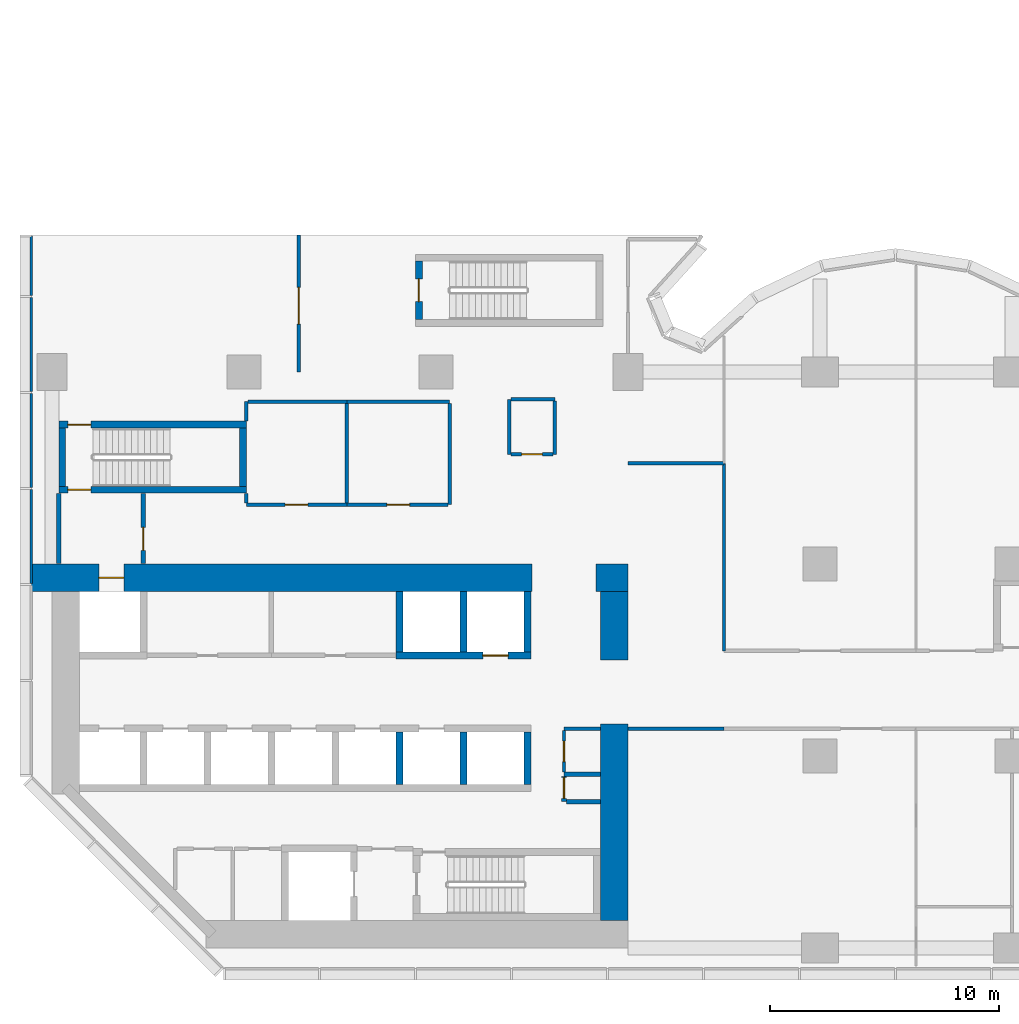
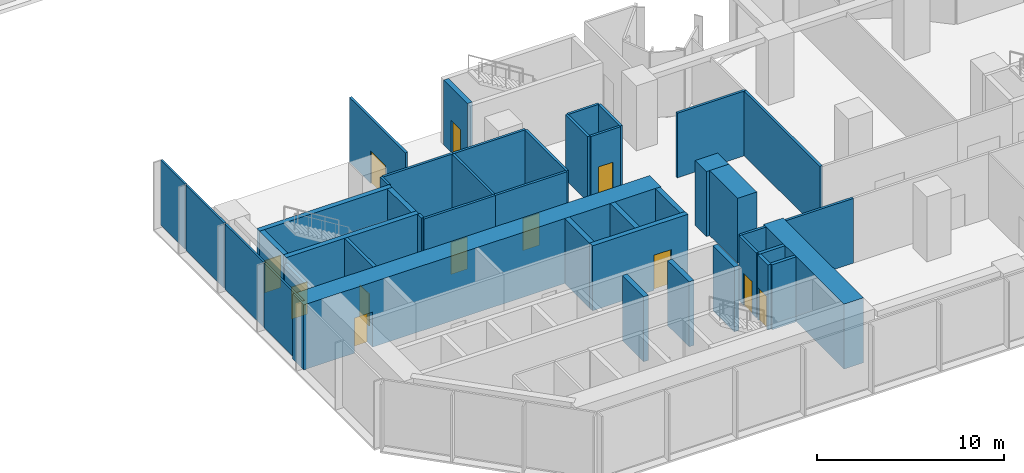
# One storey, part 10 of 18: 43 walls, 12 doors, 12 openings.
"""IFC4 building model written with IfcOpenShell, lengths in metres."""

import ifcopenshell
import ifcopenshell.guid

model = None  # the IFC model being written
_history = None  # IfcOwnerHistory: only IFC2X3 demands one
_inside = {}  # id of a spatial element -> (the spatial element, [elements in it])
_under = {}  # id of a project, library or spatial element -> (it, [spatial elements below it])
_declared = {}  # id of a project -> (the project, [libraries it declares])
_typed = {}  # id of a type object -> (the type object, [elements of that type])
_made_of = {}  # id of a material, layer set ... -> (it, [elements and type objects made of it])


def new_model(schema):
    """Start an empty IFC model of exactly this schema.

    Asked for "IFC4X3", IfcOpenShell would pick the latest addendum, in which some entities
    have other attributes; the version numbers below select the first issue.
    IFC2X3 requires an IfcOwnerHistory on every rooted entity: one is made here for all.
    """
    global model, _history
    if schema == "IFC4X3":
        model = ifcopenshell.file(schema_version=(4, 3, 0, 0))
    else:
        model = ifcopenshell.file(schema=schema)
    _inside.clear()
    _under.clear()
    _declared.clear()
    _typed.clear()
    _made_of.clear()
    _history = None
    if model.schema == "IFC2X3":
        org = make("IfcOrganization", Name="unknown")
        user = make(
            "IfcPersonAndOrganization",
            ThePerson=make("IfcPerson", FamilyName="unknown"),
            TheOrganization=org,
        )
        app = make(
            "IfcApplication",
            ApplicationDeveloper=org,
            Version="unknown",
            ApplicationFullName="unknown",
            ApplicationIdentifier="unknown",
        )
        _history = make(
            "IfcOwnerHistory",
            OwningUser=user,
            OwningApplication=app,
            ChangeAction="ADDED",
            CreationDate=0,
        )
    return model


def make(cls, **values):
    """One entity of the class cls with the attributes given. An attribute that is None is left unset."""
    return model.create_entity(
        cls, **{name: value for name, value in values.items() if value is not None}
    )


def rooted(cls, **values):
    """An entity with a GlobalId (a new one), such as an element, a storey or a relation."""
    return make(cls, GlobalId=ifcopenshell.guid.new(), OwnerHistory=_history, **values)


def si_unit(unit_type, name, prefix=None):
    """IfcSIUnit, for example si_unit("LENGTHUNIT", "METRE", prefix="MILLI")."""
    return make("IfcSIUnit", UnitType=unit_type, Prefix=prefix, Name=name)


def assignment(units):
    """IfcUnitAssignment: the units of a project."""
    return None if units is None else make("IfcUnitAssignment", Units=units)


def point(xyz):
    """IfcCartesianPoint."""
    return None if xyz is None else make("IfcCartesianPoint", Coordinates=xyz)


def direction(xyz):
    """IfcDirection."""
    return None if xyz is None else make("IfcDirection", DirectionRatios=xyz)


def frame(location, z_axis=None, x_axis=None):
    """IfcAxis2Placement3D, a coordinate frame: its origin and axes. An axis left out is left unset."""
    return make(
        "IfcAxis2Placement3D",
        Location=point(location),
        Axis=direction(z_axis),
        RefDirection=direction(x_axis),
    )


def frame_2d(location, x_axis=None):
    """IfcAxis2Placement2D, a coordinate frame in the plane: its origin and x axis."""
    return make(
        "IfcAxis2Placement2D", Location=point(location), RefDirection=direction(x_axis)
    )


def origin():
    """The frame at (0, 0, 0) with its axes left unset."""
    return frame((0.0, 0.0, 0.0))


def place(relative_to, where):
    """IfcLocalPlacement: puts the frame where relative to a parent placement (None: the world)."""
    return make(
        "IfcLocalPlacement", PlacementRelTo=relative_to, RelativePlacement=where
    )


def context(
    kind, dimensions, precision=None, world=None, true_north=None, identifier=None
):
    """IfcGeometricRepresentationContext, for example the 3D "Model" context."""
    return make(
        "IfcGeometricRepresentationContext",
        ContextIdentifier=identifier,
        ContextType=kind,
        CoordinateSpaceDimension=dimensions,
        Precision=precision,
        WorldCoordinateSystem=world,
        TrueNorth=true_north,
    )


def subcontext(parent, identifier, kind, view, scale=None):
    """IfcGeometricRepresentationSubContext, for example "Body" below "Model"."""
    return make(
        "IfcGeometricRepresentationSubContext",
        ContextIdentifier=identifier,
        ContextType=kind,
        ParentContext=parent,
        TargetScale=scale,
        TargetView=view,
    )


def project(units=None, contexts=None):
    """IfcProject with its units and contexts."""
    return rooted(
        "IfcProject",
        Name="project",
        RepresentationContexts=contexts,
        UnitsInContext=assignment(units),
    )


def spatial(cls, under=None, at=None, **own):
    """A site, building, storey or space (cls), placed at a placement, below another one or the project."""
    s = rooted(cls, ObjectPlacement=at, **own)
    if under is not None:
        _under.setdefault(under.id(), (under, []))[1].append(s)
    return s


def polyline(points):
    """IfcPolyline through the points."""
    return make("IfcPolyline", Points=[point(p) for p in points])


def profile(cls, at=None, kind="AREA", **sizes):
    """A parametric profile (cls). Its sizes go by their IFC names, for example OverallWidth=200.0."""
    return make(cls, ProfileType=kind, Position=at, **sizes)


def rectangle(**sizes):
    """IfcRectangleProfileDef."""
    return profile("IfcRectangleProfileDef", **sizes)


def outline(outer, holes=None, kind="AREA"):
    """IfcArbitraryClosedProfileDef: a profile drawn as a closed curve; with holes, ...WithVoids."""
    if holes is None:
        return make("IfcArbitraryClosedProfileDef", ProfileType=kind, OuterCurve=outer)
    return make(
        "IfcArbitraryProfileDefWithVoids",
        ProfileType=kind,
        OuterCurve=outer,
        InnerCurves=holes,
    )


def extrude(swept, where, along, depth):
    """IfcExtrudedAreaSolid: the profile swept, set in the frame where, extruded along a direction by depth."""
    return make(
        "IfcExtrudedAreaSolid",
        SweptArea=swept,
        Position=where,
        ExtrudedDirection=direction(along),
        Depth=depth,
    )


def shape(context_of_items, identifier, shape_type, items):
    """IfcShapeRepresentation: the items that make up one representation, for example the "Body"."""
    return make(
        "IfcShapeRepresentation",
        ContextOfItems=context_of_items,
        RepresentationIdentifier=identifier,
        RepresentationType=shape_type,
        Items=items,
    )


def material(Name=None, Category=None):
    """IfcMaterial."""
    return make("IfcMaterial", Name=Name, Category=Category)


def layer(
    of_material, thickness, ventilated=None, Name=None, Category=None, Priority=None
):
    """IfcMaterialLayer: one layer of a wall or slab, of a material (None: an air gap)."""
    return make(
        "IfcMaterialLayer",
        Material=of_material,
        LayerThickness=thickness,
        IsVentilated=ventilated,
        Name=Name,
        Category=Category,
        Priority=Priority,
    )


def layer_set(layers, Name=None):
    """IfcMaterialLayerSet."""
    return make("IfcMaterialLayerSet", MaterialLayers=layers, LayerSetName=Name)


def made_of(thing, what):
    """Note that an element or type object is made of a material, layer set ...; save() writes the relation."""
    if what is not None:
        _made_of.setdefault(what.id(), (what, []))[1].append(thing)
    return thing


def type_object(cls, material=None, **own):
    """A type object (cls), such as IfcWallType, which elements share."""
    return made_of(rooted(cls, **own), material)


def element(
    cls,
    number,
    at=None,
    inside=None,
    cuts=None,
    type_object=None,
    material=None,
    context=None,
    identifier="Body",
    shape_type=None,
    held_by="IfcProductDefinitionShape",
    body=None,
    shapes=None,
    **own,
):
    """One element of the class cls, such as IfcWall. Its Tag is "e" and its number.

    at: its placement. inside: the storey or other place that contains it. cuts: it is an
    opening in that element (IfcRelVoidsElement). A single representation is given by context,
    identifier, shape_type and body (its items); several are given by shapes. held_by: the class
    of the entity that holds the representations. save() writes the other relations.
    """
    e = rooted(cls, Tag="e%d" % number, ObjectPlacement=at, **own)
    if body is not None:
        shapes = [shape(context, identifier, shape_type, body)]
    if shapes is not None:
        e.Representation = make(held_by, Representations=shapes)
    if inside is not None:
        _inside.setdefault(inside.id(), (inside, []))[1].append(e)
    if cuts is not None:
        rooted(
            "IfcRelVoidsElement", RelatingBuildingElement=cuts, RelatedOpeningElement=e
        )
    if type_object is not None:
        _typed.setdefault(type_object.id(), (type_object, []))[1].append(e)
    return made_of(e, material)


def fill(opening, filler):
    """IfcRelFillsElement: the door or window that sits in an opening."""
    return rooted(
        "IfcRelFillsElement",
        RelatingOpeningElement=opening,
        RelatedBuildingElement=filler,
    )


def aggregate(whole, parts):
    """IfcRelAggregates: a whole, such as a stair, and the parts it consists of."""
    return rooted("IfcRelAggregates", RelatingObject=whole, RelatedObjects=parts)


def save(model, path):
    """Write the relations noted so far, then the file.

    IfcRelAggregates (storeys below a building ...), IfcRelContainedInSpatialStructure (elements
    in a storey), IfcRelDefinesByType, IfcRelAssociatesMaterial and IfcRelDeclares: one each for
    every whole, place, type object, material and project.
    """
    for whole, parts in _under.values():
        aggregate(whole, parts)
    for where, things in _inside.values():
        rooted(
            "IfcRelContainedInSpatialStructure",
            RelatedElements=things,
            RelatingStructure=where,
        )
    for kind, things in _typed.values():
        rooted("IfcRelDefinesByType", RelatedObjects=things, RelatingType=kind)
    for what, things in _made_of.values():
        rooted("IfcRelAssociatesMaterial", RelatedObjects=things, RelatingMaterial=what)
    for by, libraries in _declared.values():
        rooted("IfcRelDeclares", RelatingContext=by, RelatedDefinitions=libraries)
    model.write(path)


model = new_model("IFC4")

# Units and contexts
model_context = context("Model", 3, precision=1e-05, world=origin(), true_north=direction((0.0, 1.0)))
body_context = subcontext(model_context, "Body", "Model", "MODEL_VIEW")
ifc_project = project(units=[si_unit("LENGTHUNIT", "METRE"), si_unit("AREAUNIT", "SQUARE_METRE"), si_unit("VOLUMEUNIT", "CUBIC_METRE"), si_unit("PLANEANGLEUNIT", "RADIAN"), si_unit("MASSUNIT", "GRAM", prefix="KILO")], contexts=[model_context])

# Site, building, storey
site_placement = place(None, origin())
site = spatial("IfcSite", under=ifc_project, at=site_placement, CompositionType="ELEMENT")
building_placement = place(site_placement, origin())
building = spatial("IfcBuilding", under=site, at=building_placement, Name="Brevane Broadcast Tower", CompositionType="ELEMENT")
storey_placement = place(building_placement, frame((0.0, 0.0, 27.5)))
storey = spatial("IfcBuildingStorey", under=building, at=storey_placement, Name="L04", CompositionType="ELEMENT", Elevation=27.5)

# Wall, opening, door
ifc_material_1 = material(Name="Gypsum board on steel studs", Category="steel")
ifc_layer_1 = layer(ifc_material_1, 0.14990234375)
ifc_layer_set_1 = layer_set([ifc_layer_1], Name="Core fire partition 150 mm")
wall_type_1 = type_object("IfcWallType", Name="Core fire partition 150 mm", PredefinedType="PARTITIONING", material=ifc_layer_set_1)
wall_1_placement = place(storey_placement, frame((12.89990234375, 19.39990234375, 0.0), z_axis=(0.0, 0.0, 1.0), x_axis=(-1.0, 0.0, 0.0)))
wall_1 = element("IfcWall", 1, at=wall_1_placement, inside=storey, type_object=wall_type_1, Name="L04 partition wall P14", PredefinedType="PARTITIONING", context=body_context, shape_type="SweptSolid", body=[
    extrude(rectangle(XDim=4.39990234375, YDim=0.14990234375, at=frame_2d((2.199951171875, 0.0))), origin(), (0.0, 0.0, 1.0), 4.25),
])
opening_1_placement = place(wall_1_placement, frame((1.699951171875, 0.0, 0.0)))
opening_1 = element("IfcOpeningElement", 2, at=opening_1_placement, cuts=wall_1, Name="Opening L04-K28", PredefinedType="OPENING", context=body_context, shape_type="SweptSolid", body=[
    extrude(rectangle(XDim=1.0, YDim=2.10009765625, at=frame_2d((0.5, 1.050048828125))), frame((0.0, 0.0849609375, 0.0), z_axis=(0.0, -1.0, 0.0), x_axis=(1.0, 0.0, 0.0)), (0.0, 0.0, 1.0), 0.169921875),
])
ifc_material_2 = material(Name="Steel", Category="steel")
door_type_1 = type_object("IfcDoorType", Name="Service room door 1000 x 2100", OperationType="SINGLE_SWING_LEFT", PredefinedType="DOOR", material=ifc_material_2)
door_1_placement = place(opening_1_placement, origin())
door_1 = element("IfcDoor", 3, at=door_1_placement, inside=storey, type_object=door_type_1, Name="Door L04-K28", OperationType="SINGLE_SWING_RIGHT", OverallHeight=2.10009765625, OverallWidth=1.0, PredefinedType="DOOR", context=body_context, shape_type="SweptSolid", body=[
    extrude(rectangle(XDim=1.0, YDim=2.10009765625, at=frame_2d((0.5, 1.050048828125))), frame((0.0, 0.02490234375, 0.0), z_axis=(0.0, -1.0, 0.0), x_axis=(1.0, 0.0, 0.0)), (0.0, 0.0, 1.0), 0.050048828125),
])
fill(opening_1, door_1)

# Walls
wall_2_placement = place(storey_placement, frame((8.5, 19.47509765625, 0.0), z_axis=(0.0, 0.0, 1.0), x_axis=(0.0, 1.0, 0.0)))
element("IfcWall", 4, at=wall_2_placement, inside=storey, type_object=wall_type_1, Name="L04 partition wall P15", PredefinedType="PARTITIONING", context=body_context, shape_type="SweptSolid", body=[
    extrude(rectangle(XDim=0.412841796875, YDim=0.14990234375, at=frame_2d((0.20654296875, 0.0))), origin(), (0.0, 0.0, 1.0), 4.25),
])
wall_3_placement = place(storey_placement, frame((8.5, 23.06201171875, 0.0), z_axis=(0.0, 0.0, 1.0), x_axis=(0.0, 1.0, 0.0)))
element("IfcWall", 5, at=wall_3_placement, inside=storey, type_object=wall_type_1, Name="L04 partition wall P16", PredefinedType="PARTITIONING", context=body_context, shape_type="SweptSolid", body=[
    extrude(rectangle(XDim=0.837890625, YDim=0.14990234375, at=frame_2d((0.4189453125, 0.0))), origin(), (0.0, 0.0, 1.0), 4.25),
])
wall_4_placement = place(storey_placement, frame((8.574951171875, 23.89990234375, 0.0), z_axis=(0.0, 0.0, 1.0), x_axis=(1.0, 0.0, 0.0)))
element("IfcWall", 6, at=wall_4_placement, inside=storey, type_object=wall_type_1, Name="L04 partition wall P17", PredefinedType="PARTITIONING", context=body_context, shape_type="SweptSolid", body=[
    extrude(rectangle(XDim=4.324951171875, YDim=0.14990234375, at=frame_2d((2.16259765625, 0.0))), origin(), (0.0, 0.0, 1.0), 4.25),
])
wall_5_placement = place(storey_placement, frame((12.89990234375, 23.89990234375, 0.0), z_axis=(0.0, 0.0, 1.0), x_axis=(1.0, 0.0, 0.0)))
element("IfcWall", 7, at=wall_5_placement, inside=storey, type_object=wall_type_1, Name="L04 partition wall P18", PredefinedType="PARTITIONING", context=body_context, shape_type="SweptSolid", body=[
    extrude(rectangle(XDim=4.5, YDim=0.14990234375, at=frame_2d((2.25, 0.0))), origin(), (0.0, 0.0, 1.0), 4.25),
])
wall_6_placement = place(storey_placement, frame((17.39990234375, 23.824951171875, 0.0), z_axis=(0.0, 0.0, 1.0), x_axis=(0.0, -1.0, 0.0)))
element("IfcWall", 8, at=wall_6_placement, inside=storey, type_object=wall_type_1, Name="L04 partition wall P19", PredefinedType="PARTITIONING", context=body_context, shape_type="SweptSolid", body=[
    extrude(rectangle(XDim=4.425048828125, YDim=0.14990234375, at=frame_2d((2.21240234375, 0.0))), origin(), (0.0, 0.0, 1.0), 4.25),
])

# Wall, opening, door
wall_7_placement = place(storey_placement, frame((17.324951171875, 19.39990234375, 0.0), z_axis=(0.0, 0.0, 1.0), x_axis=(-1.0, 0.0, 0.0)))
wall_7 = element("IfcWall", 9, at=wall_7_placement, inside=storey, type_object=wall_type_1, Name="L04 partition wall P20", PredefinedType="PARTITIONING", context=body_context, shape_type="SweptSolid", body=[
    extrude(rectangle(XDim=4.425048828125, YDim=0.14990234375, at=frame_2d((2.21240234375, 0.0))), origin(), (0.0, 0.0, 1.0), 4.25),
])
opening_2_placement = place(wall_7_placement, frame((1.675048828125, 0.0, 0.0)))
opening_2 = element("IfcOpeningElement", 10, at=opening_2_placement, cuts=wall_7, Name="Opening L04-K29", PredefinedType="OPENING", context=body_context, shape_type="SweptSolid", body=[
    extrude(rectangle(XDim=1.0, YDim=2.10009765625, at=frame_2d((0.5, 1.050048828125))), frame((0.0, 0.0849609375, 0.0), z_axis=(0.0, -1.0, 0.0), x_axis=(1.0, 0.0, 0.0)), (0.0, 0.0, 1.0), 0.169921875),
])
door_2_placement = place(opening_2_placement, origin())
door_2 = element("IfcDoor", 11, at=door_2_placement, inside=storey, type_object=door_type_1, Name="Door L04-K29", OperationType="SINGLE_SWING_LEFT", OverallHeight=2.10009765625, OverallWidth=1.0, PredefinedType="DOOR", context=body_context, shape_type="SweptSolid", body=[
    extrude(rectangle(XDim=1.0, YDim=2.10009765625, at=frame_2d((0.5, 1.050048828125))), frame((0.0, 0.02490234375, 0.0), z_axis=(0.0, -1.0, 0.0), x_axis=(1.0, 0.0, 0.0)), (0.0, 0.0, 1.0), 0.050048828125),
])
fill(opening_2, door_2)

# Walls
wall_8_placement = place(storey_placement, frame((12.89990234375, 23.824951171875, 0.0), z_axis=(0.0, 0.0, 1.0), x_axis=(0.0, -1.0, 0.0)))
element("IfcWall", 12, at=wall_8_placement, inside=storey, type_object=wall_type_1, Name="L04 partition wall P21", PredefinedType="PARTITIONING", context=body_context, shape_type="SweptSolid", body=[
    extrude(rectangle(XDim=4.349853515625, YDim=0.14990234375, at=frame_2d((2.1748046875, 0.0))), origin(), (0.0, 0.0, 1.0), 4.25),
])
wall_9_placement = place(storey_placement, frame((23.988037109375, 9.60009765625, 0.0), z_axis=(0.0, 0.0, 1.0), x_axis=(-1.0, 0.0, 0.0)))
element("IfcWall", 13, at=wall_9_placement, inside=storey, type_object=wall_type_1, Name="L04 partition wall P22", PredefinedType="PARTITIONING", context=body_context, shape_type="SweptSolid", body=[
    extrude(rectangle(XDim=1.588134765625, YDim=0.14990234375, at=frame_2d((0.7939453125, 0.0))), origin(), (0.0, 0.0, 1.0), 4.25),
])

# Wall, opening, door
wall_10_placement = place(storey_placement, frame((22.39990234375, 9.52490234375, 0.0), z_axis=(0.0, 0.0, 1.0), x_axis=(0.0, -1.0, 0.0)))
wall_10 = element("IfcWall", 14, at=wall_10_placement, inside=storey, type_object=wall_type_1, Name="L04 partition wall P23", PredefinedType="PARTITIONING", context=body_context, shape_type="SweptSolid", body=[
    extrude(rectangle(XDim=1.824951171875, YDim=0.14990234375, at=frame_2d((0.91259765625, 0.0))), origin(), (0.0, 0.0, 1.0), 4.25),
])
opening_3_placement = place(wall_10_placement, frame((0.47509765625, 0.0, 0.0)))
opening_3 = element("IfcOpeningElement", 15, at=opening_3_placement, cuts=wall_10, Name="Opening L04-K23", PredefinedType="OPENING", context=body_context, shape_type="SweptSolid", body=[
    extrude(rectangle(XDim=0.89990234375, YDim=2.10009765625, at=frame_2d((0.449951171875, 1.050048828125))), frame((0.0, 0.0849609375, 0.0), z_axis=(0.0, -1.0, 0.0), x_axis=(1.0, 0.0, 0.0)), (0.0, 0.0, 1.0), 0.169921875),
])
door_type_2 = type_object("IfcDoorType", Name="Service room door 900 x 2100", OperationType="SINGLE_SWING_LEFT", PredefinedType="DOOR", material=ifc_material_2)
door_3_placement = place(opening_3_placement, origin())
door_3 = element("IfcDoor", 16, at=door_3_placement, inside=storey, type_object=door_type_2, Name="Door L04-K23", OperationType="SINGLE_SWING_LEFT", OverallHeight=2.10009765625, OverallWidth=0.89990234375, PredefinedType="DOOR", context=body_context, shape_type="SweptSolid", body=[
    extrude(rectangle(XDim=0.89990234375, YDim=2.10009765625, at=frame_2d((0.449951171875, 1.050048828125))), frame((0.0, 0.02490234375, 0.0), z_axis=(0.0, -1.0, 0.0), x_axis=(1.0, 0.0, 0.0)), (0.0, 0.0, 1.0), 0.050048828125),
])
fill(opening_3, door_3)

# Walls
wall_11_placement = place(storey_placement, frame((20.0, 21.60009765625, 0.0), z_axis=(0.0, 0.0, 1.0), x_axis=(0.0, 1.0, 0.0)))
element("IfcWall", 17, at=wall_11_placement, inside=storey, type_object=wall_type_1, Name="L04 partition wall P24", PredefinedType="PARTITIONING", context=body_context, shape_type="SweptSolid", body=[
    extrude(rectangle(XDim=2.39990234375, YDim=0.14990234375, at=frame_2d((1.199951171875, 0.0))), origin(), (0.0, 0.0, 1.0), 4.25),
])
wall_12_placement = place(storey_placement, frame((20.074951171875, 24.0, 0.0), z_axis=(0.0, 0.0, 1.0), x_axis=(1.0, 0.0, 0.0)))
element("IfcWall", 18, at=wall_12_placement, inside=storey, type_object=wall_type_1, Name="L04 partition wall P25", PredefinedType="PARTITIONING", context=body_context, shape_type="SweptSolid", body=[
    extrude(rectangle(XDim=1.925048828125, YDim=0.14990234375, at=frame_2d((0.96240234375, 0.0))), origin(), (0.0, 0.0, 1.0), 4.25),
])
wall_13_placement = place(storey_placement, frame((22.0, 23.925048828125, 0.0), z_axis=(0.0, 0.0, 1.0), x_axis=(0.0, -1.0, 0.0)))
element("IfcWall", 19, at=wall_13_placement, inside=storey, type_object=wall_type_1, Name="L04 partition wall P26", PredefinedType="PARTITIONING", context=body_context, shape_type="SweptSolid", body=[
    extrude(rectangle(XDim=2.324951171875, YDim=0.14990234375, at=frame_2d((1.16259765625, 0.0))), origin(), (0.0, 0.0, 1.0), 4.25),
])

# Wall, opening, door
wall_14_placement = place(storey_placement, frame((21.925048828125, 21.60009765625, 0.0), z_axis=(0.0, 0.0, 1.0), x_axis=(-1.0, 0.0, 0.0)))
wall_14 = element("IfcWall", 20, at=wall_14_placement, inside=storey, type_object=wall_type_1, Name="L04 partition wall P27", PredefinedType="PARTITIONING", context=body_context, shape_type="SweptSolid", body=[
    extrude(rectangle(XDim=1.85009765625, YDim=0.14990234375, at=frame_2d((0.925048828125, 0.0))), origin(), (0.0, 0.0, 1.0), 4.25),
])
opening_4_placement = place(wall_14_placement, frame((0.47509765625, 0.0, 0.0)))
opening_4 = element("IfcOpeningElement", 21, at=opening_4_placement, cuts=wall_14, Name="Opening L04-K27", PredefinedType="OPENING", context=body_context, shape_type="SweptSolid", body=[
    extrude(rectangle(XDim=0.89990234375, YDim=2.10009765625, at=frame_2d((0.449951171875, 1.050048828125))), frame((0.0, 0.0849609375, 0.0), z_axis=(0.0, -1.0, 0.0), x_axis=(1.0, 0.0, 0.0)), (0.0, 0.0, 1.0), 0.169921875),
])
ifc_material_3 = material(Name="Timber", Category="wood")
door_type_3 = type_object("IfcDoorType", Name="Toilet door 900 x 2100", OperationType="SINGLE_SWING_LEFT", PredefinedType="DOOR", material=ifc_material_3)
door_4_placement = place(opening_4_placement, origin())
door_4 = element("IfcDoor", 22, at=door_4_placement, inside=storey, type_object=door_type_3, Name="Door L04-K27", OperationType="SINGLE_SWING_LEFT", OverallHeight=2.10009765625, OverallWidth=0.89990234375, PredefinedType="DOOR", context=body_context, shape_type="SweptSolid", body=[
    extrude(rectangle(XDim=0.89990234375, YDim=2.10009765625, at=frame_2d((0.449951171875, 1.050048828125))), frame((0.0, 0.02490234375, 0.0), z_axis=(0.0, -1.0, 0.0), x_axis=(1.0, 0.0, 0.0)), (0.0, 0.0, 1.0), 0.050048828125),
])
fill(opening_4, door_4)

# Wall
ifc_layer_2 = layer(ifc_material_1, 0.199951171875)
ifc_layer_set_2 = layer_set([ifc_layer_2], Name="Core fire partition 200 mm")
wall_type_2 = type_object("IfcWallType", Name="Core fire partition 200 mm", PredefinedType="PARTITIONING", material=ifc_layer_set_2)
wall_15_placement = place(storey_placement, frame((0.300048828125, 16.81201171875, 0.0), z_axis=(0.0, 0.0, 1.0), x_axis=(0.0, 1.0, 0.0)))
element("IfcWall", 23, at=wall_15_placement, inside=storey, type_object=wall_type_2, Name="L04 partition wall P01", PredefinedType="PARTITIONING", context=body_context, shape_type="SweptSolid", body=[
    extrude(rectangle(XDim=3.075927734375, YDim=0.199951171875, at=frame_2d((1.5380859375, 0.0))), origin(), (0.0, 0.0, 1.0), 3.8798828125),
])

# Wall, opening, door
wall_16_placement = place(storey_placement, frame((4.0, 19.887939453125, 0.0), z_axis=(0.0, 0.0, 1.0), x_axis=(0.0, -1.0, 0.0)))
wall_16 = element("IfcWall", 24, at=wall_16_placement, inside=storey, type_object=wall_type_2, Name="L04 partition wall P02", PredefinedType="PARTITIONING", context=body_context, shape_type="SweptSolid", body=[
    extrude(rectangle(XDim=3.075927734375, YDim=0.199951171875, at=frame_2d((1.5380859375, 0.0))), origin(), (0.0, 0.0, 1.0), 4.25),
])
opening_5_placement = place(wall_16_placement, frame((1.488037109375, 0.0, 0.0)))
opening_5 = element("IfcOpeningElement", 25, at=opening_5_placement, cuts=wall_16, Name="Opening L04-K26", PredefinedType="OPENING", context=body_context, shape_type="SweptSolid", body=[
    extrude(rectangle(XDim=1.0, YDim=2.10009765625, at=frame_2d((0.5, 1.050048828125))), frame((0.0, 0.10986328125, 0.0), z_axis=(0.0, -1.0, 0.0), x_axis=(1.0, 0.0, 0.0)), (0.0, 0.0, 1.0), 0.219970703125),
])
door_type_4 = type_object("IfcDoorType", Name="Stair door 1000 x 2100", OperationType="SINGLE_SWING_LEFT", PredefinedType="DOOR", material=ifc_material_2)
door_5_placement = place(opening_5_placement, origin())
door_5 = element("IfcDoor", 26, at=door_5_placement, inside=storey, type_object=door_type_4, Name="Door L04-K26", OperationType="SINGLE_SWING_RIGHT", OverallHeight=2.10009765625, OverallWidth=1.0, PredefinedType="DOOR", context=body_context, shape_type="SweptSolid", body=[
    extrude(rectangle(XDim=1.0, YDim=2.10009765625, at=frame_2d((0.5, 1.050048828125))), frame((0.0, 0.02490234375, 0.0), z_axis=(0.0, -1.0, 0.0), x_axis=(1.0, 0.0, 0.0)), (0.0, 0.0, 1.0), 0.050048828125),
])
fill(opening_5, door_5)

# Wall
wall_17_placement = place(storey_placement, frame((23.988037109375, 7.60009765625, 0.0), z_axis=(0.0, 0.0, 1.0), x_axis=(-1.0, 0.0, 0.0)))
element("IfcWall", 27, at=wall_17_placement, inside=storey, type_object=wall_type_2, Name="L04 partition wall P07", PredefinedType="PARTITIONING", context=body_context, shape_type="SweptSolid", body=[
    extrude(rectangle(XDim=1.588134765625, YDim=0.199951171875, at=frame_2d((0.7939453125, 0.0))), origin(), (0.0, 0.0, 1.0), 4.25),
])

# Wall, opening, door
wall_18_placement = place(storey_placement, frame((22.39990234375, 7.5, 0.0), z_axis=(0.0, 0.0, 1.0), x_axis=(0.0, -1.0, 0.0)))
wall_18 = element("IfcWall", 28, at=wall_18_placement, inside=storey, type_object=wall_type_2, Name="L04 partition wall P08", PredefinedType="PARTITIONING", context=body_context, shape_type="SweptSolid", body=[
    extrude(rectangle(XDim=1.10009765625, YDim=0.199951171875, at=frame_2d((0.550048828125, 0.0))), origin(), (0.0, 0.0, 1.0), 4.25),
])
opening_6_placement = place(wall_18_placement, frame((0.050048828125, 0.0, 0.0)))
opening_6 = element("IfcOpeningElement", 29, at=opening_6_placement, cuts=wall_18, Name="Opening L04-K22", PredefinedType="OPENING", context=body_context, shape_type="SweptSolid", body=[
    extrude(rectangle(XDim=0.89990234375, YDim=2.10009765625, at=frame_2d((0.449951171875, 1.050048828125))), frame((0.0, 0.10986328125, 0.0), z_axis=(0.0, -1.0, 0.0), x_axis=(1.0, 0.0, 0.0)), (0.0, 0.0, 1.0), 0.219970703125),
])
door_6_placement = place(opening_6_placement, origin())
door_6 = element("IfcDoor", 30, at=door_6_placement, inside=storey, type_object=door_type_2, Name="Door L04-K22", OperationType="SINGLE_SWING_RIGHT", OverallHeight=2.10009765625, OverallWidth=0.89990234375, PredefinedType="DOOR", context=body_context, shape_type="SweptSolid", body=[
    extrude(rectangle(XDim=0.89990234375, YDim=2.10009765625, at=frame_2d((0.449951171875, 1.050048828125))), frame((0.0, 0.02490234375, 0.0), z_axis=(0.0, -1.0, 0.0), x_axis=(1.0, 0.0, 0.0)), (0.0, 0.0, 1.0), 0.050048828125),
])
fill(opening_6, door_6)

# Wall
wall_19_placement = place(storey_placement, frame((22.5, 6.39990234375, 0.0), z_axis=(0.0, 0.0, 1.0), x_axis=(1.0, 0.0, 0.0)))
element("IfcWall", 31, at=wall_19_placement, inside=storey, type_object=wall_type_2, Name="L04 partition wall P09", PredefinedType="PARTITIONING", context=body_context, shape_type="SweptSolid", body=[
    extrude(rectangle(XDim=1.488037109375, YDim=0.199951171875, at=frame_2d((0.744140625, 0.0))), origin(), (0.0, 0.0, 1.0), 4.25),
])

# Wall, opening, door
ifc_material_4 = material(Name="Concrete C80/95", Category="concrete")
ifc_layer_3 = layer(ifc_material_4, 1.199951171875)
ifc_layer_set_3 = layer_set([ifc_layer_3], Name="Core wall 1200 mm C80/95")
wall_type_3 = type_object("IfcWallType", Name="Core wall 1200 mm C80/95", PredefinedType="SHEAR", material=ifc_layer_set_3)
wall_20_placement = place(storey_placement, frame((-1.10009765625, 16.199951171875, 0.0), z_axis=(0.0, 0.0, 1.0), x_axis=(1.0, 0.0, 0.0)))
wall_20 = element("IfcWall", 32, at=wall_20_placement, inside=storey, type_object=wall_type_3, Name="L04 outer wall WN1", PredefinedType="SHEAR", context=body_context, shape_type="SweptSolid", body=[
    extrude(rectangle(XDim=22.10009765625, YDim=1.199951171875, at=frame_2d((11.050048828125, 0.0))), origin(), (0.0, 0.0, 1.0), 4.25),
])
opening_7_placement = place(wall_20_placement, frame((3.14990234375, 0.0, 0.0)))
opening_7 = element("IfcOpeningElement", 33, at=opening_7_placement, cuts=wall_20, Name="Opening LD", PredefinedType="OPENING", context=body_context, shape_type="SweptSolid", body=[
    extrude(rectangle(XDim=1.10009765625, YDim=2.300048828125, at=frame_2d((0.550048828125, 1.14990234375))), frame((0.0, 0.60986328125, 0.0), z_axis=(0.0, -1.0, 0.0), x_axis=(1.0, 0.0, 0.0)), (0.0, 0.0, 1.0), 1.219970703125),
])
ifc_material_5 = material(Name="Stainless steel", Category="steel")
door_type_5 = type_object("IfcDoorType", Name="Lift landing door", OperationType="SLIDING_TO_LEFT", PredefinedType="DOOR", material=ifc_material_5)
door_7_placement = place(opening_7_placement, origin())
door_7 = element("IfcDoor", 34, at=door_7_placement, inside=storey, type_object=door_type_5, Name="Landing door FF1 L04", OperationType="SLIDING_TO_LEFT", OverallHeight=2.300048828125, OverallWidth=1.10009765625, PredefinedType="DOOR", context=body_context, shape_type="SweptSolid", body=[
    extrude(rectangle(XDim=1.10009765625, YDim=2.300048828125, at=frame_2d((0.550048828125, 1.14990234375))), frame((0.0, 0.02490234375, 0.0), z_axis=(0.0, -1.0, 0.0), x_axis=(1.0, 0.0, 0.0)), (0.0, 0.0, 1.0), 0.050048828125),
])
fill(opening_7, door_7)

# Walls
wall_21_placement = place(storey_placement, frame((23.800048828125, 16.199951171875, 0.0), z_axis=(0.0, 0.0, 1.0), x_axis=(1.0, 0.0, 0.0)))
element("IfcWall", 35, at=wall_21_placement, inside=storey, type_object=wall_type_3, Name="L04 outer wall WN2", PredefinedType="SHEAR", context=body_context, shape_type="SweptSolid", body=[
    extrude(rectangle(XDim=1.39990234375, YDim=1.199951171875, at=frame_2d((0.699951171875, 0.0))), origin(), (0.0, 0.0, 1.0), 4.25),
])
wall_22_placement = place(storey_placement, frame((24.60009765625, 1.199951171875, 0.0), z_axis=(0.0, 0.0, 1.0), x_axis=(0.0, 1.0, 0.0)))
element("IfcWall", 36, at=wall_22_placement, inside=storey, type_object=wall_type_3, Name="L04 outer wall WE1", PredefinedType="SHEAR", context=body_context, shape_type="SweptSolid", body=[
    extrude(rectangle(XDim=8.60009765625, YDim=1.199951171875, at=frame_2d((4.300048828125, 0.0))), origin(), (0.0, 0.0, 1.0), 4.25),
])
wall_23_placement = place(storey_placement, frame((24.60009765625, 12.60009765625, 0.0), z_axis=(0.0, 0.0, 1.0), x_axis=(0.0, 1.0, 0.0)))
element("IfcWall", 37, at=wall_23_placement, inside=storey, type_object=wall_type_3, Name="L04 outer wall WE2", PredefinedType="SHEAR", context=body_context, shape_type="SweptSolid", body=[
    extrude(rectangle(XDim=3.0, YDim=1.199951171875, at=frame_2d((1.5, 0.0))), origin(), (0.0, 0.0, 1.0), 4.25),
])
ifc_layer_4 = layer(ifc_material_4, 0.300048828125)
ifc_layer_set_4 = layer_set([ifc_layer_4], Name="Core wall 300 mm C80/95")
wall_type_4 = type_object("IfcWallType", Name="Core wall 300 mm C80/95", PredefinedType="SHEAR", material=ifc_layer_set_4)
for number, where, z_axis, x_axis, name in (
    (38, (15.199951171875, 7.14990234375, 0.0), (0.0, 0.0, 1.0), (0.0, 1.0, 0.0), "L04 shaft wall SH-S-P152"),
    (39, (18.0, 7.14990234375, 0.0), (0.0, 0.0, 1.0), (0.0, 1.0, 0.0), "L04 shaft wall SH-S-P180"),
    (40, (20.800048828125, 7.14990234375, 0.0), (0.0, 0.0, 1.0), (0.0, 1.0, 0.0), "L04 shaft wall SH-S-P208"),
):
    element("IfcWall", number, at=place(storey_placement, frame(where, z_axis=z_axis, x_axis=x_axis)), inside=storey, type_object=wall_type_4, Name=name, PredefinedType="SHEAR", context=body_context, shape_type="SweptSolid", body=[
        extrude(rectangle(XDim=2.300048828125, YDim=0.300048828125, at=frame_2d((1.14990234375, 0.0))), origin(), (0.0, 0.0, 1.0), 4.25),
    ])

# Wall, opening, door
wall_24_placement = place(storey_placement, frame((15.050048828125, 12.800048828125, 0.0), z_axis=(0.0, 0.0, 1.0), x_axis=(1.0, 0.0, 0.0)))
wall_24 = element("IfcWall", 41, at=wall_24_placement, inside=storey, type_object=wall_type_4, Name="L04 shaft wall SH-N152-front", PredefinedType="SHEAR", context=body_context, shape_type="SweptSolid", body=[
    extrude(rectangle(XDim=5.89990234375, YDim=0.300048828125, at=frame_2d((2.949951171875, 0.0))), origin(), (0.0, 0.0, 1.0), 4.25),
])
opening_8_placement = place(wall_24_placement, frame((3.800048828125, 0.0, 0.0)))
opening_8 = element("IfcOpeningElement", 42, at=opening_8_placement, cuts=wall_24, Name="Opening LD", PredefinedType="OPENING", context=body_context, shape_type="SweptSolid", body=[
    extrude(rectangle(XDim=1.10009765625, YDim=2.300048828125, at=frame_2d((0.550048828125, 1.14990234375))), frame((0.0, 0.159912109375, 0.0), z_axis=(0.0, -1.0, 0.0), x_axis=(1.0, 0.0, 0.0)), (0.0, 0.0, 1.0), 0.320068359375),
])
door_8_placement = place(opening_8_placement, origin())
door_8 = element("IfcDoor", 43, at=door_8_placement, inside=storey, type_object=door_type_5, Name="Landing door SL1 L04", OperationType="SLIDING_TO_LEFT", OverallHeight=2.300048828125, OverallWidth=1.10009765625, PredefinedType="DOOR", context=body_context, shape_type="SweptSolid", body=[
    extrude(rectangle(XDim=1.10009765625, YDim=2.300048828125, at=frame_2d((0.550048828125, 1.14990234375))), frame((0.0, 0.02490234375, 0.0), z_axis=(0.0, -1.0, 0.0), x_axis=(1.0, 0.0, 0.0)), (0.0, 0.0, 1.0), 0.050048828125),
])
fill(opening_8, door_8)

# Walls
for number, where, z_axis, x_axis, name in (
    (44, (15.199951171875, 12.949951171875, 0.0), (0.0, 0.0, 1.0), (0.0, 1.0, 0.0), "L04 shaft wall SH-N-P152"),
    (45, (18.0, 12.949951171875, 0.0), (0.0, 0.0, 1.0), (0.0, 1.0, 0.0), "L04 shaft wall SH-N-P180"),
    (46, (20.800048828125, 12.949951171875, 0.0), (0.0, 0.0, 1.0), (0.0, 1.0, 0.0), "L04 shaft wall SH-N-P208"),
):
    element("IfcWall", number, at=place(storey_placement, frame(where, z_axis=z_axis, x_axis=x_axis)), inside=storey, type_object=wall_type_4, Name=name, PredefinedType="SHEAR", context=body_context, shape_type="SweptSolid", body=[
        extrude(rectangle(XDim=2.650146484375, YDim=0.300048828125, at=frame_2d((1.3251953125, 0.0))), origin(), (0.0, 0.0, 1.0), 4.25),
    ])

# Wall, opening, door
wall_25_placement = place(storey_placement, frame((8.5, 20.050048828125, 0.0), z_axis=(0.0, 0.0, 1.0), x_axis=(-1.0, 0.0, 0.0)))
wall_25 = element("IfcWall", 47, at=wall_25_placement, inside=storey, type_object=wall_type_4, Name="L04 stair wall ST-1-S", PredefinedType="SHEAR", context=body_context, shape_type="SweptSolid", body=[
    extrude(rectangle(XDim=8.199951171875, YDim=0.300048828125, at=frame_2d((4.10009765625, 0.0))), origin(), (0.0, 0.0, 1.0), 4.25),
])
opening_9_placement = place(wall_25_placement, frame((6.800048828125, 0.0, 0.0)))
opening_9 = element("IfcOpeningElement", 48, at=opening_9_placement, cuts=wall_25, Name="Opening L04-K11", PredefinedType="OPENING", context=body_context, shape_type="SweptSolid", body=[
    extrude(rectangle(XDim=1.0, YDim=2.10009765625, at=frame_2d((0.5, 1.050048828125))), frame((0.0, 0.159912109375, 0.0), z_axis=(0.0, -1.0, 0.0), x_axis=(1.0, 0.0, 0.0)), (0.0, 0.0, 1.0), 0.320068359375),
])
door_9_placement = place(opening_9_placement, origin())
door_9 = element("IfcDoor", 49, at=door_9_placement, inside=storey, type_object=door_type_4, Name="Door L04-K11", OperationType="SINGLE_SWING_LEFT", OverallHeight=2.10009765625, OverallWidth=1.0, PredefinedType="DOOR", context=body_context, shape_type="SweptSolid", body=[
    extrude(rectangle(XDim=1.0, YDim=2.10009765625, at=frame_2d((0.5, 1.050048828125))), frame((0.0, 0.02490234375, 0.0), z_axis=(0.0, -1.0, 0.0), x_axis=(1.0, 0.0, 0.0)), (0.0, 0.0, 1.0), 0.050048828125),
])
fill(opening_9, door_9)

wall_26_placement = place(storey_placement, frame((0.300048828125, 22.89990234375, 0.0), z_axis=(0.0, 0.0, 1.0), x_axis=(1.0, 0.0, 0.0)))
wall_26 = element("IfcWall", 50, at=wall_26_placement, inside=storey, type_object=wall_type_4, Name="L04 stair wall ST-1-N", PredefinedType="SHEAR", context=body_context, shape_type="SweptSolid", body=[
    extrude(rectangle(XDim=8.199951171875, YDim=0.300048828125, at=frame_2d((4.10009765625, 0.0))), origin(), (0.0, 0.0, 1.0), 4.25),
])
opening_10_placement = place(wall_26_placement, frame((0.39990234375, 0.0, 0.0)))
opening_10 = element("IfcOpeningElement", 51, at=opening_10_placement, cuts=wall_26, Name="Opening L04-K12", PredefinedType="OPENING", context=body_context, shape_type="SweptSolid", body=[
    extrude(rectangle(XDim=1.0, YDim=2.10009765625, at=frame_2d((0.5, 1.050048828125))), frame((0.0, 0.159912109375, 0.0), z_axis=(0.0, -1.0, 0.0), x_axis=(1.0, 0.0, 0.0)), (0.0, 0.0, 1.0), 0.320068359375),
])
door_10_placement = place(opening_10_placement, origin())
door_10 = element("IfcDoor", 52, at=door_10_placement, inside=storey, type_object=door_type_4, Name="Door L04-K12", OperationType="SINGLE_SWING_RIGHT", OverallHeight=2.10009765625, OverallWidth=1.0, PredefinedType="DOOR", context=body_context, shape_type="SweptSolid", body=[
    extrude(rectangle(XDim=1.0, YDim=2.10009765625, at=frame_2d((0.5, 1.050048828125))), frame((0.0, 0.02490234375, 0.0), z_axis=(0.0, -1.0, 0.0), x_axis=(1.0, 0.0, 0.0)), (0.0, 0.0, 1.0), 0.050048828125),
])
fill(opening_10, door_10)

# Walls
for number, where, z_axis, x_axis, name in (
    (53, (0.449951171875, 20.199951171875, 0.0), (0.0, 0.0, 1.0), (0.0, 1.0, 0.0), "L04 stair wall ST-1-W"),
    (54, (8.35009765625, 20.199951171875, 0.0), (0.0, 0.0, 1.0), (0.0, 1.0, 0.0), "L04 stair wall ST-1-E"),
):
    element("IfcWall", number, at=place(storey_placement, frame(where, z_axis=z_axis, x_axis=x_axis)), inside=storey, type_object=wall_type_4, Name=name, PredefinedType="SHEAR", context=body_context, shape_type="SweptSolid", body=[
        extrude(rectangle(XDim=2.550048828125, YDim=0.300048828125, at=frame_2d((1.27490234375, 0.0))), origin(), (0.0, 0.0, 1.0), 4.25),
    ])

# Wall, opening, door
wall_27_placement = place(storey_placement, frame((16.050048828125, 27.5, 0.0), z_axis=(0.0, 0.0, 1.0), x_axis=(0.0, 1.0, 0.0)))
wall_27 = element("IfcWall", 55, at=wall_27_placement, inside=storey, type_object=wall_type_4, Name="L04 stair wall ST-3-W", PredefinedType="SHEAR", context=body_context, shape_type="SweptSolid", body=[
    extrude(rectangle(XDim=2.550048828125, YDim=0.300048828125, at=frame_2d((1.27490234375, 0.0))), origin(), (0.0, 0.0, 1.0), 4.25),
])
opening_11_placement = place(wall_27_placement, frame((0.77490234375, 0.0, 0.0)))
opening_11 = element("IfcOpeningElement", 56, at=opening_11_placement, cuts=wall_27, Name="Opening L04-K15", PredefinedType="OPENING", context=body_context, shape_type="SweptSolid", body=[
    extrude(rectangle(XDim=1.0, YDim=2.10009765625, at=frame_2d((0.5, 1.050048828125))), frame((0.0, 0.159912109375, 0.0), z_axis=(0.0, -1.0, 0.0), x_axis=(1.0, 0.0, 0.0)), (0.0, 0.0, 1.0), 0.320068359375),
])
door_11_placement = place(opening_11_placement, origin())
door_11 = element("IfcDoor", 57, at=door_11_placement, inside=storey, type_object=door_type_4, Name="Door L04-K15", OperationType="SINGLE_SWING_LEFT", OverallHeight=2.10009765625, OverallWidth=1.0, PredefinedType="DOOR", context=body_context, shape_type="SweptSolid", body=[
    extrude(rectangle(XDim=1.0, YDim=2.10009765625, at=frame_2d((0.5, 1.050048828125))), frame((0.0, 0.02490234375, 0.0), z_axis=(0.0, -1.0, 0.0), x_axis=(1.0, 0.0, 0.0)), (0.0, 0.0, 1.0), 0.050048828125),
])
fill(opening_11, door_11)

# Walls
ifc_material_6 = material(Name="Gypsum board partition")
ifc_layer_5 = layer(ifc_material_6, 0.14990234375)
ifc_layer_set_5 = layer_set([ifc_layer_5], Name="PARTITION 150 EI 60")
wall_type_5 = type_object("IfcWallType", Name="PARTITION 150 EI 60", PredefinedType="PARTITIONING", material=ifc_layer_set_5)
for number, where, z_axis, x_axis, name in (
    (58, (25.199951171875, 21.199951171875, 0.0), (0.0, 0.0, 1.0), (1.0, 0.0, 0.0), "Partition P4-011"),
    (59, (29.39990234375, 9.60009765625, 0.0), (0.0, 0.0, 1.0), (-1.0, 0.0, 0.0), "Partition P4-012"),
):
    element("IfcWall", number, at=place(storey_placement, frame(where, z_axis=z_axis, x_axis=x_axis)), inside=storey, type_object=wall_type_5, Name=name, PredefinedType="PARTITIONING", context=body_context, shape_type="SweptSolid", body=[
        extrude(rectangle(XDim=4.199951171875, YDim=0.14990234375, at=frame_2d((2.10009765625, 0.0))), origin(), (0.0, 0.0, 1.0), 4.22998046875),
    ])
wall_28_placement = place(storey_placement, frame((29.39990234375, 21.199951171875, 0.0), z_axis=(0.0, 0.0, 1.0), x_axis=(0.0, -1.0, 0.0)))
element("IfcWall", 60, at=wall_28_placement, inside=storey, type_object=wall_type_5, Name="Partition P4-013", PredefinedType="PARTITIONING", context=body_context, shape_type="SweptSolid", body=[
    extrude(rectangle(XDim=8.199951171875, YDim=0.14990234375, at=frame_2d((4.10009765625, 0.0))), origin(), (0.0, 0.0, 1.0), 4.22998046875),
])

# Wall, opening, door
wall_29_placement = place(storey_placement, frame((10.800048828125, 25.199951171875, 0.0), z_axis=(0.0, 0.0, 1.0), x_axis=(0.0, 1.0, 0.0)))
wall_29 = element("IfcWall", 61, at=wall_29_placement, inside=storey, type_object=wall_type_5, Name="Partition P4-040", PredefinedType="PARTITIONING", context=body_context, shape_type="SweptSolid", body=[
    extrude(rectangle(XDim=6.0, YDim=0.14990234375, at=frame_2d((3.0, 0.0))), origin(), (0.0, 0.0, 1.0), 4.22998046875),
])
opening_12_placement = place(wall_29_placement, frame((2.10009765625, 0.0, 0.0)))
opening_12 = element("IfcOpeningElement", 62, at=opening_12_placement, cuts=wall_29, Name="Opening D05-013", PredefinedType="OPENING", context=body_context, shape_type="SweptSolid", body=[
    extrude(rectangle(XDim=1.60009765625, YDim=2.10009765625, at=frame_2d((0.800048828125, 1.050048828125))), frame((0.0, 0.0849609375, 0.0), z_axis=(0.0, -1.0, 0.0), x_axis=(1.0, 0.0, 0.0)), (0.0, 0.0, 1.0), 0.169921875),
])
ifc_material_7 = material(Name="Fire-rated timber door leaf", Category="wood")
door_type_6 = type_object("IfcDoorType", Name="DOOR DOUBLE 1600 FD30S", OperationType="DOUBLE_DOOR_SINGLE_SWING", PredefinedType="DOOR", material=ifc_material_7)
door_12_placement = place(opening_12_placement, origin())
door_12 = element("IfcDoor", 63, at=door_12_placement, inside=storey, type_object=door_type_6, Name="Door D05-013", OperationType="DOUBLE_DOOR_SINGLE_SWING", OverallHeight=2.10009765625, OverallWidth=1.60009765625, PredefinedType="DOOR", context=body_context, shape_type="SweptSolid", body=[
    extrude(rectangle(XDim=1.60009765625, YDim=2.10009765625, at=frame_2d((0.800048828125, 1.050048828125))), frame((0.0, 0.02490234375, 0.0), z_axis=(0.0, -1.0, 0.0), x_axis=(1.0, 0.0, 0.0)), (0.0, 0.0, 1.0), 0.050048828125),
])
fill(opening_12, door_12)

# Walls
ifc_material_8 = material(Name="Precast concrete C40/50", Category="concrete")
ifc_layer_6 = layer(ifc_material_8, 0.1201171875)
ifc_layer_set_6 = layer_set([ifc_layer_6], Name="Podium precast cladding wall 120 C40/50")
wall_type_6 = type_object("IfcWallType", Name="Podium precast cladding wall 120 C40/50", PredefinedType="SOLIDWALL", material=ifc_layer_set_6)
wall_30_placement = place(storey_placement, origin())
element("IfcWall", 64, at=wall_30_placement, inside=storey, type_object=wall_type_6, Name="Podium precast cladding wall", PredefinedType="SOLIDWALL", context=body_context, shape_type="SweptSolid", body=[
    extrude(outline(polyline([(-0.969970703125, 28.544921875), (-0.85009765625, 28.544921875), (-0.85009765625, 31.155029296875), (-0.969970703125, 31.155029296875), (-0.969970703125, 28.544921875)])), origin(), (0.0, 0.0, 1.0), 4.25),
])
wall_31_placement = place(storey_placement, origin())
element("IfcWall", 65, at=wall_31_placement, inside=storey, type_object=wall_type_6, Name="Podium precast cladding wall", PredefinedType="SOLIDWALL", context=body_context, shape_type="SweptSolid", body=[
    extrude(outline(polyline([(-0.969970703125, 24.344970703125), (-0.85009765625, 24.344970703125), (-0.85009765625, 28.455078125), (-0.969970703125, 28.455078125), (-0.969970703125, 24.344970703125)])), origin(), (0.0, 0.0, 1.0), 4.25),
])
wall_32_placement = place(storey_placement, origin())
element("IfcWall", 66, at=wall_32_placement, inside=storey, type_object=wall_type_6, Name="Podium precast cladding wall", PredefinedType="SOLIDWALL", context=body_context, shape_type="SweptSolid", body=[
    extrude(outline(polyline([(-0.969970703125, 20.14501953125), (-0.85009765625, 20.14501953125), (-0.85009765625, 24.2548828125), (-0.969970703125, 24.2548828125), (-0.969970703125, 20.14501953125)])), origin(), (0.0, 0.0, 1.0), 4.25),
])
wall_33_placement = place(storey_placement, origin())
element("IfcWall", 67, at=wall_33_placement, inside=storey, type_object=wall_type_6, Name="Podium precast cladding wall", PredefinedType="SOLIDWALL", context=body_context, shape_type="SweptSolid", body=[
    extrude(outline(polyline([(-0.969970703125, 15.945068359375), (-0.85009765625, 15.945068359375), (-0.85009765625, 20.054931640625), (-0.969970703125, 20.054931640625), (-0.969970703125, 15.945068359375)])), origin(), (0.0, 0.0, 1.0), 4.25),
])

save(model, "model.ifc")
